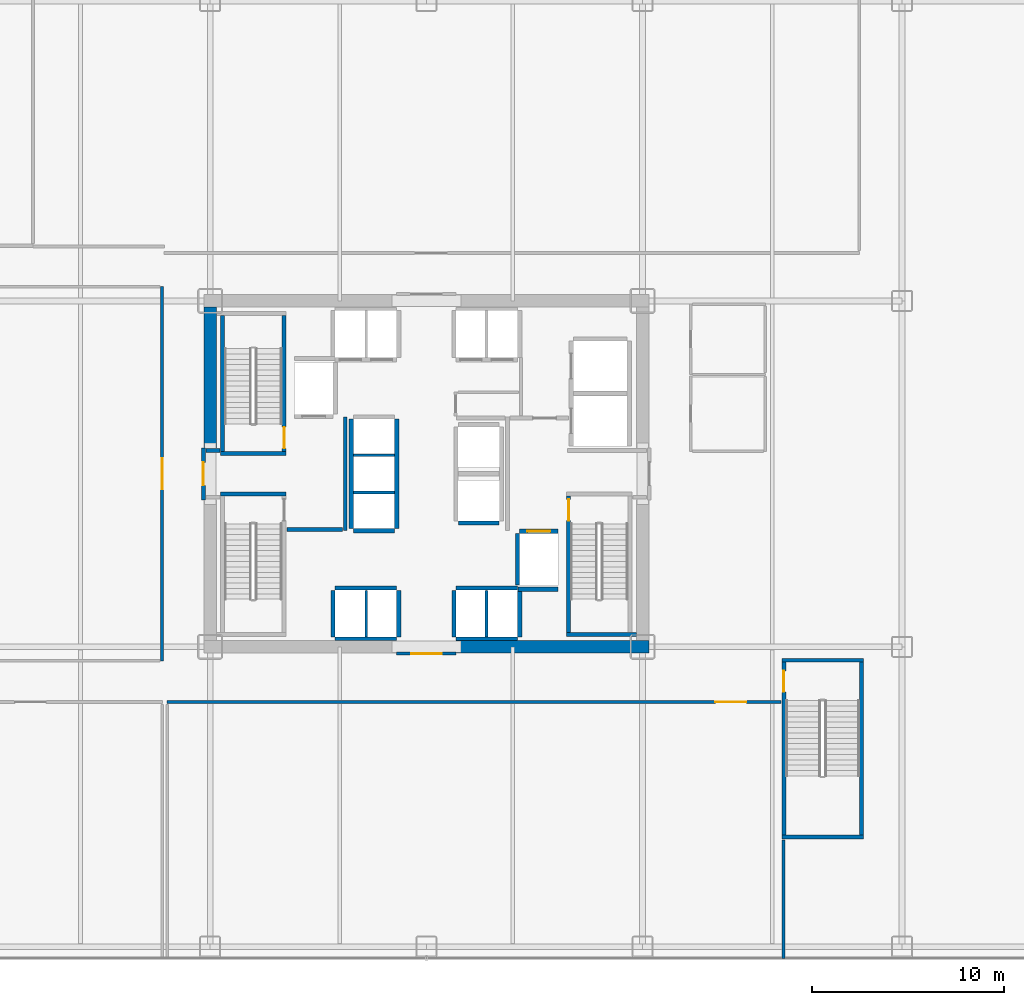
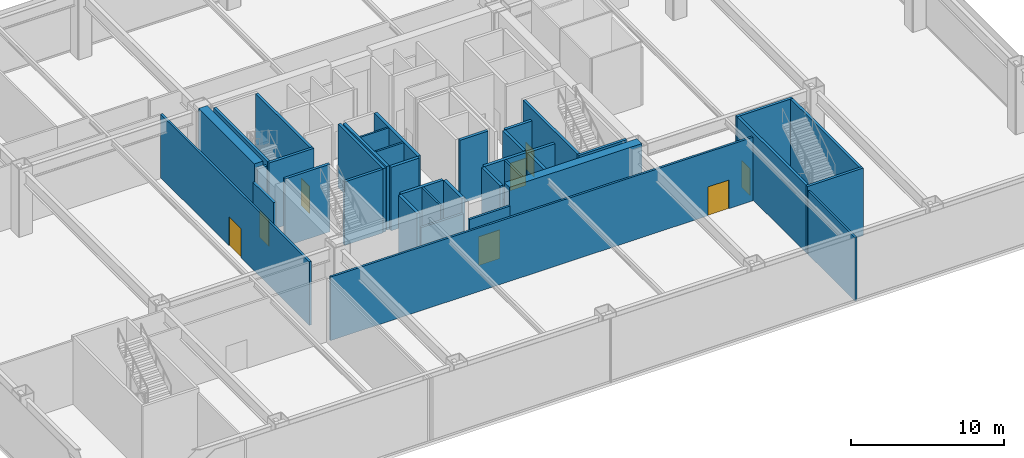
# One storey, part 17 of 24: 39 walls, 8 doors, 8 openings.
"""IFC4 building model written with IfcOpenShell, lengths in metres."""

from ifc_helpers import new_model, si_unit, direction, frame, frame_2d, origin, place, context, subcontext, project, spatial, rectangle, extrude, source, transform, mapped, material, layer, layer_set, type_object, element, fill, save


model = new_model("IFC4")

# Units and contexts
model_context = context("Model", 3, precision=1e-05, world=origin(), true_north=direction((0.0, 1.0)))
body_context = subcontext(model_context, "Body", "Model", "MODEL_VIEW")
ifc_project = project(units=[si_unit("LENGTHUNIT", "METRE"), si_unit("AREAUNIT", "SQUARE_METRE"), si_unit("VOLUMEUNIT", "CUBIC_METRE"), si_unit("PLANEANGLEUNIT", "RADIAN"), si_unit("MASSUNIT", "GRAM", prefix="KILO")], contexts=[model_context])

# Site, building, storey
site_placement = place(None, origin())
site = spatial("IfcSite", under=ifc_project, at=site_placement, CompositionType="ELEMENT")
building_placement = place(site_placement, origin())
building = spatial("IfcBuilding", under=site, at=building_placement, Name="Nefas-Gora Pilgrimage Tower", CompositionType="ELEMENT")
storey_placement = place(building_placement, frame((0.0, 0.0, 11.39990234375)))
storey = spatial("IfcBuildingStorey", under=building, at=storey_placement, Name="L02", CompositionType="ELEMENT", Elevation=11.39990234375)

# Walls
ifc_material_1 = material(Name="Concrete C60/75", Category="concrete")
ifc_layer_1 = layer(ifc_material_1, 0.64990234375)
ifc_layer_set_1 = layer_set([ifc_layer_1], Name="Concrete C60/75")
wall_type_1 = type_object("IfcWallType", Name="SW-CORE-650", PredefinedType="SHEAR", material=ifc_layer_set_1)
shared_shape_1 = source(origin(), body_context, "Body", "SweptSolid", [
    extrude(rectangle(XDim=10.02490234375, YDim=0.64990234375, at=frame_2d((5.012451171875, 0.0))), origin(), (0.0, 0.0, 1.0), 5.400146484375),
])
wall_1_placement = place(storey_placement, frame((1.550048828125, -9.0, 0.0), z_axis=(0.0, 0.0, 1.0), x_axis=(1.0, 0.0, 0.0)))
element("IfcWall", 1, at=wall_1_placement, inside=storey, type_object=wall_type_1, Name="L02 Core Shear Wall S-East", PredefinedType="SHEAR", context=body_context, shape_type="MappedRepresentation", body=[
    mapped(shared_shape_1, transform((0.0, 0.0, 0.0), x_axis=(1.0, 0.0, 0.0), y_axis=(0.0, 1.0, 0.0), z_axis=(0.0, 0.0, 1.0), scale=1.0)),
])
shared_shape_2 = source(origin(), body_context, "Body", "SweptSolid", [
    extrude(rectangle(XDim=7.324951171875, YDim=0.64990234375, at=frame_2d((3.66259765625, 0.0))), origin(), (0.0, 0.0, 1.0), 5.400146484375),
])
wall_2_placement = place(storey_placement, frame((-11.25, 1.35009765625, 0.0), z_axis=(0.0, 0.0, 1.0), x_axis=(0.0, 1.0, 0.0)))
element("IfcWall", 2, at=wall_2_placement, inside=storey, type_object=wall_type_1, Name="L02 Core Shear Wall W-North", PredefinedType="SHEAR", context=body_context, shape_type="MappedRepresentation", body=[
    mapped(shared_shape_2, transform((0.0, 0.0, 0.0), x_axis=(1.0, 0.0, 0.0), y_axis=(0.0, 1.0, 0.0), z_axis=(0.0, 0.0, 1.0), scale=1.0)),
])
ifc_material_2 = material(Name="Concrete C45/55", Category="concrete")
ifc_layer_2 = layer(ifc_material_2, 0.199951171875)
ifc_layer_set_2 = layer_set([ifc_layer_2], Name="Concrete C45/55")
wall_type_2 = type_object("IfcWallType", Name="IW-STAIR-200", PredefinedType="SOLIDWALL", material=ifc_layer_set_2)
shared_shape_3 = source(origin(), body_context, "Body", "SweptSolid", [
    extrude(rectangle(XDim=3.39990234375, YDim=0.199951171875, at=frame_2d((1.699951171875, 0.0))), origin(), (0.0, 0.0, 1.0), 5.400146484375),
])
for number, where, z_axis, x_axis, name in (
    (3, (-7.300048828125, 1.050048828125, 0.0), (0.0, 0.0, 1.0), (-1.0, 0.0, 0.0), "L02 Stairwell Shear Wall ST-01-near"),
    (4, (-10.699951171875, -1.050048828125, 0.0), (0.0, 0.0, 1.0), (1.0, 0.0, 0.0), "L02 Stairwell Shear Wall ST-03-near"),
):
    element("IfcWall", number, at=place(storey_placement, frame(where, z_axis=z_axis, x_axis=x_axis)), inside=storey, type_object=wall_type_2, Name=name, PredefinedType="SOLIDWALL", context=body_context, shape_type="MappedRepresentation", body=[
        mapped(shared_shape_3, transform((0.0, 0.0, 0.0), x_axis=(1.0, 0.0, 0.0), y_axis=(0.0, 1.0, 0.0), z_axis=(0.0, 0.0, 1.0), scale=1.0)),
    ])
shared_shape_4 = source(origin(), body_context, "Body", "SweptSolid", [
    extrude(rectangle(XDim=3.6298828125, YDim=0.199951171875, at=frame_2d((1.81494140625, 0.0))), origin(), (0.0, 0.0, 1.0), 5.400146484375),
])
wall_3_placement = place(storey_placement, frame((7.300048828125, -8.35009765625, 0.0), z_axis=(0.0, 0.0, 1.0), x_axis=(1.0, 0.0, 0.0)))
element("IfcWall", 5, at=wall_3_placement, inside=storey, type_object=wall_type_2, Name="L02 Stairwell Shear Wall ST-02-far", PredefinedType="SOLIDWALL", context=body_context, shape_type="MappedRepresentation", body=[
    mapped(shared_shape_4, transform((0.0, 0.0, 0.0), x_axis=(1.0, 0.0, 0.0), y_axis=(0.0, 1.0, 0.0), z_axis=(0.0, 0.0, 1.0), scale=1.0)),
])

# Wall, opening, door
shared_shape_5 = source(origin(), body_context, "Body", "SweptSolid", [
    extrude(rectangle(XDim=7.10009765625, YDim=0.199951171875, at=frame_2d((3.550048828125, 0.0))), origin(), (0.0, 0.0, 1.0), 5.400146484375),
])
wall_4_placement = place(storey_placement, frame((-7.39990234375, 1.14990234375, 0.0), z_axis=(0.0, 0.0, 1.0), x_axis=(0.0, 1.0, 0.0)))
wall_4 = element("IfcWall", 6, at=wall_4_placement, inside=storey, type_object=wall_type_2, Name="L02 Stairwell Shear Wall ST-01-left", PredefinedType="SOLIDWALL", context=body_context, shape_type="MappedRepresentation", body=[
    mapped(shared_shape_5, transform((0.0, 0.0, 0.0), x_axis=(1.0, 0.0, 0.0), y_axis=(0.0, 1.0, 0.0), z_axis=(0.0, 0.0, 1.0), scale=1.0)),
])
opening_1_placement = place(wall_4_placement, frame((0.179931640625, 0.0, 0.0)))
opening_1 = element("IfcOpeningElement", 7, at=opening_1_placement, cuts=wall_4, Name="Opening ID-ST1", PredefinedType="OPENING", context=body_context, shape_type="SweptSolid", body=[
    extrude(rectangle(XDim=1.10009765625, YDim=2.14990234375, at=frame_2d((0.550048828125, 1.074951171875))), frame((0.0, 0.10986328125, 0.0), z_axis=(0.0, -1.0, 0.0), x_axis=(1.0, 0.0, 0.0)), (0.0, 0.0, 1.0), 0.219970703125),
])
ifc_material_3 = material(Name="Painted galvanised steel fire stair door", Category="steel")
door_type_1 = type_object("IfcDoorType", Name="DR-INT-STAIR-1100", OperationType="NOTDEFINED", PredefinedType="DOOR", material=ifc_material_3)
shared_shape_6 = source(origin(), body_context, "Body", "SweptSolid", [
    extrude(rectangle(XDim=1.10009765625, YDim=2.14990234375, at=frame_2d((0.550048828125, 1.074951171875))), frame((0.0, 0.02490234375, 0.0), z_axis=(0.0, -1.0, 0.0), x_axis=(1.0, 0.0, 0.0)), (0.0, 0.0, 1.0), 0.050048828125),
])
door_1_placement = place(opening_1_placement, origin())
door_1 = element("IfcDoor", 8, at=door_1_placement, inside=storey, type_object=door_type_1, Name="L02 Protected Exit Stair Door ST-01", OperationType="SINGLE_SWING_RIGHT", OverallHeight=2.14990234375, OverallWidth=1.10009765625, PredefinedType="DOOR", context=body_context, shape_type="MappedRepresentation", body=[
    mapped(shared_shape_6, transform((0.0, 0.0, 0.0), x_axis=(1.0, 0.0, 0.0), y_axis=(0.0, 1.0, 0.0), z_axis=(0.0, 0.0, 1.0), scale=1.0)),
])
fill(opening_1, door_1)

# Wall
wall_5_placement = place(storey_placement, frame((-10.60009765625, 1.14990234375, 0.0), z_axis=(0.0, 0.0, 1.0), x_axis=(0.0, 1.0, 0.0)))
element("IfcWall", 9, at=wall_5_placement, inside=storey, type_object=wall_type_2, Name="L02 Stairwell Shear Wall ST-01-right", PredefinedType="SOLIDWALL", context=body_context, shape_type="MappedRepresentation", body=[
    mapped(shared_shape_5, transform((0.0, 0.0, 0.0), x_axis=(1.0, 0.0, 0.0), y_axis=(0.0, 1.0, 0.0), z_axis=(0.0, 0.0, 1.0), scale=1.0)),
])

# Wall, opening, door
wall_6_placement = place(storey_placement, frame((7.39990234375, -1.14990234375, 0.0), z_axis=(0.0, 0.0, 1.0), x_axis=(0.0, -1.0, 0.0)))
wall_6 = element("IfcWall", 10, at=wall_6_placement, inside=storey, type_object=wall_type_2, Name="L02 Stairwell Shear Wall ST-02-left", PredefinedType="SOLIDWALL", context=body_context, shape_type="MappedRepresentation", body=[
    mapped(shared_shape_5, transform((0.0, 0.0, 0.0), x_axis=(1.0, 0.0, 0.0), y_axis=(0.0, 1.0, 0.0), z_axis=(0.0, 0.0, 1.0), scale=1.0)),
])
opening_2_placement = place(wall_6_placement, frame((0.179931640625, 0.0, 0.0)))
opening_2 = element("IfcOpeningElement", 11, at=opening_2_placement, cuts=wall_6, Name="Opening ID-ST1", PredefinedType="OPENING", context=body_context, shape_type="SweptSolid", body=[
    extrude(rectangle(XDim=1.10009765625, YDim=2.14990234375, at=frame_2d((0.550048828125, 1.074951171875))), frame((0.0, 0.10986328125, 0.0), z_axis=(0.0, -1.0, 0.0), x_axis=(1.0, 0.0, 0.0)), (0.0, 0.0, 1.0), 0.219970703125),
])
door_2_placement = place(opening_2_placement, origin())
door_2 = element("IfcDoor", 12, at=door_2_placement, inside=storey, type_object=door_type_1, Name="L02 Protected Exit Stair Door ST-02", OperationType="SINGLE_SWING_LEFT", OverallHeight=2.14990234375, OverallWidth=1.10009765625, PredefinedType="DOOR", context=body_context, shape_type="MappedRepresentation", body=[
    mapped(shared_shape_6, transform((0.0, 0.0, 0.0), x_axis=(1.0, 0.0, 0.0), y_axis=(0.0, 1.0, 0.0), z_axis=(0.0, 0.0, 1.0), scale=1.0)),
])
fill(opening_2, door_2)

# Walls
shared_shape_7 = source(origin(), body_context, "Body", "SweptSolid", [
    extrude(rectangle(XDim=4.239990234375, YDim=0.199951171875, at=frame_2d((2.1201171875, 0.0))), origin(), (0.0, 0.0, 1.0), 5.400146484375),
])
for number, where, z_axis, x_axis, name in (
    (13, (18.5, -9.699951171875, 0.0), (0.0, 0.0, 1.0), (1.0, 0.0, 0.0), "L02 Stairwell Shear Wall ST-06-near"),
    (14, (18.5, -18.89990234375, 0.0), (0.0, 0.0, 1.0), (1.0, 0.0, 0.0), "L02 Stairwell Shear Wall ST-06-far"),
):
    element("IfcWall", number, at=place(storey_placement, frame(where, z_axis=z_axis, x_axis=x_axis)), inside=storey, type_object=wall_type_2, Name=name, PredefinedType="SOLIDWALL", context=body_context, shape_type="MappedRepresentation", body=[
        mapped(shared_shape_7, transform((0.0, 0.0, 0.0), x_axis=(1.0, 0.0, 0.0), y_axis=(0.0, 1.0, 0.0), z_axis=(0.0, 0.0, 1.0), scale=1.0)),
    ])

# Wall, opening, door
shared_shape_8 = source(origin(), body_context, "Body", "SweptSolid", [
    extrude(rectangle(XDim=9.0, YDim=0.199951171875, at=frame_2d((4.5, 0.0))), origin(), (0.0, 0.0, 1.0), 5.400146484375),
])
wall_7_placement = place(storey_placement, frame((18.60009765625, -9.800048828125, 0.0), z_axis=(0.0, 0.0, 1.0), x_axis=(0.0, -1.0, 0.0)))
wall_7 = element("IfcWall", 15, at=wall_7_placement, inside=storey, type_object=wall_type_2, Name="L02 Stairwell Shear Wall ST-06-left", PredefinedType="SOLIDWALL", context=body_context, shape_type="MappedRepresentation", body=[
    mapped(shared_shape_8, transform((0.0, 0.0, 0.0), x_axis=(1.0, 0.0, 0.0), y_axis=(0.0, 1.0, 0.0), z_axis=(0.0, 0.0, 1.0), scale=1.0)),
])
opening_3_placement = place(wall_7_placement, frame((0.449951171875, 0.0, 0.0)))
opening_3 = element("IfcOpeningElement", 16, at=opening_3_placement, cuts=wall_7, Name="Opening ID-ST1", PredefinedType="OPENING", context=body_context, shape_type="SweptSolid", body=[
    extrude(rectangle(XDim=1.10009765625, YDim=2.14990234375, at=frame_2d((0.550048828125, 1.074951171875))), frame((0.0, 0.10986328125, 0.0), z_axis=(0.0, -1.0, 0.0), x_axis=(1.0, 0.0, 0.0)), (0.0, 0.0, 1.0), 0.219970703125),
])
door_3_placement = place(opening_3_placement, origin())
door_3 = element("IfcDoor", 17, at=door_3_placement, inside=storey, type_object=door_type_1, Name="L02 Protected Exit Stair Door ST-06", OperationType="SINGLE_SWING_RIGHT", OverallHeight=2.14990234375, OverallWidth=1.10009765625, PredefinedType="DOOR", context=body_context, shape_type="MappedRepresentation", body=[
    mapped(shared_shape_6, transform((0.0, 0.0, 0.0), x_axis=(1.0, 0.0, 0.0), y_axis=(0.0, 1.0, 0.0), z_axis=(0.0, 0.0, 1.0), scale=1.0)),
])
fill(opening_3, door_3)

# Walls
wall_8_placement = place(storey_placement, frame((22.639892578125, -9.800048828125, 0.0), z_axis=(0.0, 0.0, 1.0), x_axis=(0.0, -1.0, 0.0)))
element("IfcWall", 18, at=wall_8_placement, inside=storey, type_object=wall_type_2, Name="L02 Stairwell Shear Wall ST-06-right", PredefinedType="SOLIDWALL", context=body_context, shape_type="MappedRepresentation", body=[
    mapped(shared_shape_8, transform((0.0, 0.0, 0.0), x_axis=(1.0, 0.0, 0.0), y_axis=(0.0, 1.0, 0.0), z_axis=(0.0, 0.0, 1.0), scale=1.0)),
])
ifc_material_4 = material(Name="Gypsum acoustic stud partition")
ifc_layer_3 = layer(ifc_material_4, 0.159912109375)
ifc_layer_set_3 = layer_set([ifc_layer_3], Name="Gypsum acoustic stud partition")
wall_type_3 = type_object("IfcWallType", Name="IW-CORR-160", PredefinedType="PARTITIONING", material=ifc_layer_set_3)
shared_shape_9 = source(origin(), body_context, "Body", "SweptSolid", [
    extrude(rectangle(XDim=3.199951171875, YDim=0.159912109375, at=frame_2d((1.60009765625, 0.0))), origin(), (0.0, 0.0, 1.0), 3.97509765625),
])
for number, where, z_axis, x_axis, name in (
    (19, (-4.75, -8.580078125, 0.0), (0.0, 0.0, 1.0), (1.0, 0.0, 0.0), "L02 Hoistway Wall PL2-W-S"),
    (20, (1.550048828125, -8.580078125, 0.0), (0.0, 0.0, 1.0), (1.0, 0.0, 0.0), "L02 Hoistway Wall PL2-E-S"),
):
    element("IfcWall", number, at=place(storey_placement, frame(where, z_axis=z_axis, x_axis=x_axis)), inside=storey, type_object=wall_type_3, Name=name, PredefinedType="PARTITIONING", context=body_context, shape_type="MappedRepresentation", body=[
        mapped(shared_shape_9, transform((0.0, 0.0, 0.0), x_axis=(1.0, 0.0, 0.0), y_axis=(0.0, 1.0, 0.0), z_axis=(0.0, 0.0, 1.0), scale=1.0)),
    ])

# Wall, opening, door
ifc_material_5 = material(Name="Concrete C40/50", Category="concrete")
ifc_layer_4 = layer(ifc_material_5, 0.219970703125)
ifc_layer_set_4 = layer_set([ifc_layer_4], Name="Concrete C40/50")
wall_type_4 = type_object("IfcWallType", Name="IW-SHAFT-220", PredefinedType="SOLIDWALL", material=ifc_layer_set_4)
shared_shape_10 = source(origin(), body_context, "Body", "SweptSolid", [
    extrude(rectangle(XDim=2.0, YDim=0.219970703125, at=frame_2d((1.0, 0.0))), origin(), (0.0, 0.0, 1.0), 5.085205078125),
])
wall_9_placement = place(storey_placement, frame((6.85009765625, -2.989990234375, 0.0), z_axis=(0.0, 0.0, 1.0), x_axis=(-1.0, 0.0, 0.0)))
wall_9 = element("IfcWall", 21, at=wall_9_placement, inside=storey, type_object=wall_type_4, Name="L02 Hoistway Wall FFL-02-N", PredefinedType="SOLIDWALL", context=body_context, shape_type="MappedRepresentation", body=[
    mapped(shared_shape_10, transform((0.0, 0.0, 0.0), x_axis=(1.0, 0.0, 0.0), y_axis=(0.0, 1.0, 0.0), z_axis=(0.0, 0.0, 1.0), scale=1.0)),
])
opening_4_placement = place(wall_9_placement, frame((0.39990234375, 0.0, 0.0)))
opening_4 = element("IfcOpeningElement", 22, at=opening_4_placement, cuts=wall_9, Name="Opening LD-FF", PredefinedType="OPENING", context=body_context, shape_type="SweptSolid", body=[
    extrude(rectangle(XDim=1.199951171875, YDim=2.199951171875, at=frame_2d((0.60009765625, 1.10009765625))), frame((0.0, 0.119873046875, 0.0), z_axis=(0.0, -1.0, 0.0), x_axis=(1.0, 0.0, 0.0)), (0.0, 0.0, 1.0), 0.239990234375),
])
ifc_material_6 = material(Name="Fire-service sliding lift landing door")
door_type_2 = type_object("IfcDoorType", Name="DR-LIFT-FSAE-1200", OperationType="SLIDING_TO_LEFT", PredefinedType="DOOR", material=ifc_material_6)
shared_shape_11 = source(origin(), body_context, "Body", "SweptSolid", [
    extrude(rectangle(XDim=1.199951171875, YDim=2.199951171875, at=frame_2d((0.60009765625, 1.10009765625))), frame((0.0, 0.02490234375, 0.0), z_axis=(0.0, -1.0, 0.0), x_axis=(1.0, 0.0, 0.0)), (0.0, 0.0, 1.0), 0.050048828125),
])
door_4_placement = place(opening_4_placement, origin())
door_4 = element("IfcDoor", 23, at=door_4_placement, inside=storey, type_object=door_type_2, Name="L02 Sliding Lift Landing Door FFL-02", OperationType="SLIDING_TO_LEFT", OverallHeight=2.199951171875, OverallWidth=1.199951171875, PredefinedType="DOOR", context=body_context, shape_type="MappedRepresentation", body=[
    mapped(shared_shape_11, transform((0.0, 0.0, 0.0), x_axis=(1.0, 0.0, 0.0), y_axis=(0.0, 1.0, 0.0), z_axis=(0.0, 0.0, 1.0), scale=1.0)),
])
fill(opening_4, door_4)

# Walls
shared_shape_12 = source(origin(), body_context, "Body", "SweptSolid", [
    extrude(rectangle(XDim=2.679931640625, YDim=0.219970703125, at=frame_2d((1.33984375, 0.0))), origin(), (0.0, 0.0, 1.0), 5.085205078125),
])
wall_10_placement = place(storey_placement, frame((4.739990234375, -3.110107421875, 0.0), z_axis=(0.0, 0.0, 1.0), x_axis=(0.0, -1.0, 0.0)))
element("IfcWall", 24, at=wall_10_placement, inside=storey, type_object=wall_type_4, Name="L02 Hoistway Wall FFL-02-W", PredefinedType="SOLIDWALL", context=body_context, shape_type="MappedRepresentation", body=[
    mapped(shared_shape_12, transform((0.0, 0.0, 0.0), x_axis=(1.0, 0.0, 0.0), y_axis=(0.0, 1.0, 0.0), z_axis=(0.0, 0.0, 1.0), scale=1.0)),
])
shared_shape_13 = source(origin(), body_context, "Body", "SweptSolid", [
    extrude(rectangle(XDim=3.199951171875, YDim=0.219970703125, at=frame_2d((1.60009765625, 0.0))), origin(), (0.0, 0.0, 1.0), 5.085205078125),
])
for number, where, z_axis, x_axis, name in (
    (25, (-1.550048828125, -5.93994140625, 0.0), (0.0, 0.0, 1.0), (-1.0, 0.0, 0.0), "L02 Hoistway Wall PL2-W-N"),
    (26, (4.75, -5.93994140625, 0.0), (0.0, 0.0, 1.0), (-1.0, 0.0, 0.0), "L02 Hoistway Wall PL2-E-N"),
):
    element("IfcWall", number, at=place(storey_placement, frame(where, z_axis=z_axis, x_axis=x_axis)), inside=storey, type_object=wall_type_4, Name=name, PredefinedType="SOLIDWALL", context=body_context, shape_type="MappedRepresentation", body=[
        mapped(shared_shape_13, transform((0.0, 0.0, 0.0), x_axis=(1.0, 0.0, 0.0), y_axis=(0.0, 1.0, 0.0), z_axis=(0.0, 0.0, 1.0), scale=1.0)),
    ])
shared_shape_14 = source(origin(), body_context, "Body", "SweptSolid", [
    extrude(rectangle(XDim=2.429931640625, YDim=0.219970703125, at=frame_2d((1.21484375, 0.0))), origin(), (0.0, 0.0, 1.0), 5.085205078125),
])
for number, where, z_axis, x_axis, name in (
    (27, (-4.860107421875, -6.06005859375, 0.0), (0.0, 0.0, 1.0), (0.0, -1.0, 0.0), "L02 Hoistway Wall PL2-W-W"),
    (28, (-1.43994140625, -8.489990234375, 0.0), (0.0, 0.0, 1.0), (0.0, 1.0, 0.0), "L02 Hoistway Wall PL2-W-E"),
    (29, (1.43994140625, -6.06005859375, 0.0), (0.0, 0.0, 1.0), (0.0, -1.0, 0.0), "L02 Hoistway Wall PL2-E-W"),
    (30, (4.860107421875, -8.489990234375, 0.0), (0.0, 0.0, 1.0), (0.0, 1.0, 0.0), "L02 Hoistway Wall PL2-E-E"),
):
    element("IfcWall", number, at=place(storey_placement, frame(where, z_axis=z_axis, x_axis=x_axis)), inside=storey, type_object=wall_type_4, Name=name, PredefinedType="SOLIDWALL", context=body_context, shape_type="MappedRepresentation", body=[
        mapped(shared_shape_14, transform((0.0, 0.0, 0.0), x_axis=(1.0, 0.0, 0.0), y_axis=(0.0, 1.0, 0.0), z_axis=(0.0, 0.0, 1.0), scale=1.0)),
    ])
ifc_material_7 = material(Name="Gypsum twin-stud partition")
ifc_layer_5 = layer(ifc_material_7, 0.139892578125)
ifc_layer_set_5 = layer_set([ifc_layer_5], Name="Gypsum twin-stud partition")
wall_type_5 = type_object("IfcWallType", Name="IW-UNIT-140", PredefinedType="PARTITIONING", material=ifc_layer_set_5)
shared_shape_15 = source(origin(), body_context, "Body", "SweptSolid", [
    extrude(rectangle(XDim=2.429931640625, YDim=0.139892578125, at=frame_2d((1.21484375, 0.0))), origin(), (0.0, 0.0, 1.0), 5.085205078125),
])
for number, where, z_axis, x_axis, name in (
    (31, (-3.125, -8.489990234375, 0.0), (0.0, 0.0, 1.0), (0.0, 1.0, 0.0), "L02 Hoistway Wall PL2-W-DIV"),
    (32, (3.125, -8.489990234375, 0.0), (0.0, 0.0, 1.0), (0.0, 1.0, 0.0), "L02 Hoistway Wall PL2-E-DIV"),
):
    element("IfcWall", number, at=place(storey_placement, frame(where, z_axis=z_axis, x_axis=x_axis)), inside=storey, type_object=wall_type_5, Name=name, PredefinedType="PARTITIONING", context=body_context, shape_type="MappedRepresentation", body=[
        mapped(shared_shape_15, transform((0.0, 0.0, 0.0), x_axis=(1.0, 0.0, 0.0), y_axis=(0.0, 1.0, 0.0), z_axis=(0.0, 0.0, 1.0), scale=1.0)),
    ])
shared_shape_16 = source(origin(), body_context, "Body", "SweptSolid", [
    extrude(rectangle(XDim=5.7001953125, YDim=0.219970703125, at=frame_2d((2.85009765625, 0.0))), origin(), (0.0, 0.0, 1.0), 5.085205078125),
])
for number, where, z_axis, x_axis, name in (
    (33, (-1.5400390625, -2.85009765625, 0.0), (0.0, 0.0, 1.0), (0.0, 1.0, 0.0), "L02 Hoistway Wall PL3-01-03-E"),
    (34, (-3.909912109375, 2.85009765625, 0.0), (0.0, 0.0, 1.0), (0.0, -1.0, 0.0), "L02 Hoistway Wall PL3-01-03-W"),
):
    element("IfcWall", number, at=place(storey_placement, frame(where, z_axis=z_axis, x_axis=x_axis)), inside=storey, type_object=wall_type_4, Name=name, PredefinedType="SOLIDWALL", context=body_context, shape_type="MappedRepresentation", body=[
        mapped(shared_shape_16, transform((0.0, 0.0, 0.0), x_axis=(1.0, 0.0, 0.0), y_axis=(0.0, 1.0, 0.0), z_axis=(0.0, 0.0, 1.0), scale=1.0)),
    ])
shared_shape_17 = source(origin(), body_context, "Body", "SweptSolid", [
    extrude(rectangle(XDim=2.130126953125, YDim=0.219970703125, at=frame_2d((1.06494140625, 0.0))), origin(), (0.0, 0.0, 1.0), 5.085205078125),
])
for number, where, z_axis, x_axis, name in (
    (35, (-3.7900390625, -2.9599609375, 0.0), (0.0, 0.0, 1.0), (1.0, 0.0, 0.0), "L02 Hoistway Wall PL3-01-S"),
    (36, (1.659912109375, -2.56005859375, 0.0), (0.0, 0.0, 1.0), (1.0, 0.0, 0.0), "L02 Hoistway Wall OBS-01-S"),
):
    element("IfcWall", number, at=place(storey_placement, frame(where, z_axis=z_axis, x_axis=x_axis)), inside=storey, type_object=wall_type_4, Name=name, PredefinedType="SOLIDWALL", context=body_context, shape_type="MappedRepresentation", body=[
        mapped(shared_shape_17, transform((0.0, 0.0, 0.0), x_axis=(1.0, 0.0, 0.0), y_axis=(0.0, 1.0, 0.0), z_axis=(0.0, 0.0, 1.0), scale=1.0)),
    ])
shared_shape_18 = source(origin(), body_context, "Body", "SweptSolid", [
    extrude(rectangle(XDim=2.130126953125, YDim=0.139892578125, at=frame_2d((1.06494140625, 0.0))), origin(), (0.0, 0.0, 1.0), 5.085205078125),
])
for number, where, z_axis, x_axis, name in (
    (37, (-3.7900390625, -0.97509765625, 0.0), (0.0, 0.0, 1.0), (1.0, 0.0, 0.0), "L02 Hoistway Wall PL3-01-02-DIV"),
    (38, (-3.7900390625, 0.97509765625, 0.0), (0.0, 0.0, 1.0), (1.0, 0.0, 0.0), "L02 Hoistway Wall PL3-02-03-DIV"),
):
    element("IfcWall", number, at=place(storey_placement, frame(where, z_axis=z_axis, x_axis=x_axis)), inside=storey, type_object=wall_type_5, Name=name, PredefinedType="PARTITIONING", context=body_context, shape_type="MappedRepresentation", body=[
        mapped(shared_shape_18, transform((0.0, 0.0, 0.0), x_axis=(1.0, 0.0, 0.0), y_axis=(0.0, 1.0, 0.0), z_axis=(0.0, 0.0, 1.0), scale=1.0)),
    ])

# Wall, opening, door
ifc_material_8 = material(Name="Gypsum fire-rated shaftwall")
ifc_layer_6 = layer(ifc_material_8, 0.199951171875)
ifc_layer_set_6 = layer_set([ifc_layer_6], Name="Gypsum fire-rated shaftwall")
wall_type_6 = type_object("IfcWallType", Name="IW-FFLOB-200", PredefinedType="PARTITIONING", material=ifc_layer_set_6)
shared_shape_19 = source(origin(), body_context, "Body", "SweptSolid", [
    extrude(rectangle(XDim=2.7001953125, YDim=0.199951171875, at=frame_2d((1.35009765625, 0.0))), origin(), (0.0, 0.0, 1.0), 3.97509765625),
])
wall_11_placement = place(storey_placement, frame((-11.60009765625, -1.35009765625, 0.0), z_axis=(0.0, 0.0, 1.0), x_axis=(0.0, 1.0, 0.0)))
wall_11 = element("IfcWall", 39, at=wall_11_placement, inside=storey, type_object=wall_type_6, Name="L02 FF Lobby West Portal Wall 3", PredefinedType="PARTITIONING", context=body_context, shape_type="MappedRepresentation", body=[
    mapped(shared_shape_19, transform((0.0, 0.0, 0.0), x_axis=(1.0, 0.0, 0.0), y_axis=(0.0, 1.0, 0.0), z_axis=(0.0, 0.0, 1.0), scale=1.0)),
])
opening_5_placement = place(wall_11_placement, frame((0.75, 0.0, 0.0)))
opening_5 = element("IfcOpeningElement", 40, at=opening_5_placement, cuts=wall_11, Name="Opening ID-FF1", PredefinedType="OPENING", context=body_context, shape_type="SweptSolid", body=[
    extrude(rectangle(XDim=1.199951171875, YDim=2.14990234375, at=frame_2d((0.60009765625, 1.074951171875))), frame((0.0, 0.10986328125, 0.0), z_axis=(0.0, -1.0, 0.0), x_axis=(1.0, 0.0, 0.0)), (0.0, 0.0, 1.0), 0.219970703125),
])
ifc_material_9 = material(Name="Smoke-sealed steel firefighting lobby door", Category="steel")
door_type_3 = type_object("IfcDoorType", Name="DR-INT-FFLOB-1200", OperationType="NOTDEFINED", PredefinedType="DOOR", material=ifc_material_9)
shared_shape_20 = source(origin(), body_context, "Body", "SweptSolid", [
    extrude(rectangle(XDim=1.199951171875, YDim=2.14990234375, at=frame_2d((0.60009765625, 1.074951171875))), frame((0.0, 0.02490234375, 0.0), z_axis=(0.0, -1.0, 0.0), x_axis=(1.0, 0.0, 0.0)), (0.0, 0.0, 1.0), 0.050048828125),
])
door_5_placement = place(opening_5_placement, origin())
door_5 = element("IfcDoor", 41, at=door_5_placement, inside=storey, type_object=door_type_3, Name="L02 FF Lobby West Portal Door 1", OperationType="SINGLE_SWING_LEFT", OverallHeight=2.14990234375, OverallWidth=1.199951171875, PredefinedType="DOOR", context=body_context, shape_type="MappedRepresentation", body=[
    mapped(shared_shape_20, transform((0.0, 0.0, 0.0), x_axis=(1.0, 0.0, 0.0), y_axis=(0.0, 1.0, 0.0), z_axis=(0.0, 0.0, 1.0), scale=1.0)),
])
fill(opening_5, door_5)

shared_shape_21 = source(origin(), body_context, "Body", "SweptSolid", [
    extrude(rectangle(XDim=3.08984375, YDim=0.159912109375, at=frame_2d((1.544921875, 0.0))), origin(), (0.0, 0.0, 1.0), 3.97509765625),
])
wall_12_placement = place(storey_placement, frame((-1.544921875, -9.35009765625, 0.0), z_axis=(0.0, 0.0, 1.0), x_axis=(1.0, 0.0, 0.0)))
wall_12 = element("IfcWall", 42, at=wall_12_placement, inside=storey, type_object=wall_type_3, Name="L02 Central Lift Lobby South Portal Wall 15", PredefinedType="PARTITIONING", context=body_context, shape_type="MappedRepresentation", body=[
    mapped(shared_shape_21, transform((0.0, 0.0, 0.0), x_axis=(1.0, 0.0, 0.0), y_axis=(0.0, 1.0, 0.0), z_axis=(0.0, 0.0, 1.0), scale=1.0)),
])
opening_6_placement = place(wall_12_placement, frame((0.7451171875, 0.0, 0.0)))
opening_6 = element("IfcOpeningElement", 43, at=opening_6_placement, cuts=wall_12, Name="Opening ID-HL1", PredefinedType="OPENING", context=body_context, shape_type="SweptSolid", body=[
    extrude(rectangle(XDim=1.60009765625, YDim=2.300048828125, at=frame_2d((0.800048828125, 1.14990234375))), frame((0.0, 0.08984375, 0.0), z_axis=(0.0, -1.0, 0.0), x_axis=(1.0, 0.0, 0.0)), (0.0, 0.0, 1.0), 0.179931640625),
])
ifc_material_10 = material(Name="Double acoustic timber assembly hall door", Category="wood")
door_type_4 = type_object("IfcDoorType", Name="DR-INT-HALL-1600", OperationType="DOUBLE_DOOR_SINGLE_SWING", PredefinedType="DOOR", material=ifc_material_10)
shared_shape_22 = source(origin(), body_context, "Body", "SweptSolid", [
    extrude(rectangle(XDim=1.60009765625, YDim=2.300048828125, at=frame_2d((0.800048828125, 1.14990234375))), frame((0.0, 0.02490234375, 0.0), z_axis=(0.0, -1.0, 0.0), x_axis=(1.0, 0.0, 0.0)), (0.0, 0.0, 1.0), 0.050048828125),
])
door_6_placement = place(opening_6_placement, origin())
door_6 = element("IfcDoor", 44, at=door_6_placement, inside=storey, type_object=door_type_4, Name="L02 Central Lift Lobby South Portal Door 5", OperationType="DOUBLE_DOOR_SINGLE_SWING", OverallHeight=2.300048828125, OverallWidth=1.60009765625, PredefinedType="DOOR", context=body_context, shape_type="MappedRepresentation", body=[
    mapped(shared_shape_22, transform((0.0, 0.0, 0.0), x_axis=(1.0, 0.0, 0.0), y_axis=(0.0, 1.0, 0.0), z_axis=(0.0, 0.0, 1.0), scale=1.0)),
])
fill(opening_6, door_6)

# Walls
shared_shape_23 = source(origin(), body_context, "Body", "SweptSolid", [
    extrude(rectangle(XDim=2.09521484375, YDim=0.219970703125, at=frame_2d((1.047607421875, 0.0))), origin(), (0.0, 0.0, 1.0), 5.085205078125),
])
wall_13_placement = place(storey_placement, frame((4.7548828125, -6.0, 0.0), z_axis=(0.0, 0.0, 1.0), x_axis=(1.0, 0.0, 0.0)))
element("IfcWall", 45, at=wall_13_placement, inside=storey, type_object=wall_type_4, Name="L02 Riser Shaft Wall 2", PredefinedType="SOLIDWALL", context=body_context, shape_type="MappedRepresentation", body=[
    mapped(shared_shape_23, transform((0.0, 0.0, 0.0), x_axis=(1.0, 0.0, 0.0), y_axis=(0.0, 1.0, 0.0), z_axis=(0.0, 0.0, 1.0), scale=1.0)),
])
shared_shape_24 = source(origin(), body_context, "Body", "SweptSolid", [
    extrude(rectangle(XDim=5.89990234375, YDim=0.199951171875, at=frame_2d((2.949951171875, 0.0))), origin(), (0.0, 0.0, 1.0), 5.085205078125),
])
wall_14_placement = place(storey_placement, frame((-4.219970703125, -2.949951171875, 0.0), z_axis=(0.0, 0.0, 1.0), x_axis=(0.0, 1.0, 0.0)))
element("IfcWall", 46, at=wall_14_placement, inside=storey, type_object=wall_type_6, Name="L02 FF Lobby West Inner Wall Wall 4", PredefinedType="PARTITIONING", context=body_context, shape_type="MappedRepresentation", body=[
    mapped(shared_shape_24, transform((0.0, 0.0, 0.0), x_axis=(1.0, 0.0, 0.0), y_axis=(0.0, 1.0, 0.0), z_axis=(0.0, 0.0, 1.0), scale=1.0)),
])
shared_shape_25 = source(origin(), body_context, "Body", "SweptSolid", [
    extrude(rectangle(XDim=2.89990234375, YDim=0.199951171875, at=frame_2d((1.449951171875, 0.0))), origin(), (0.0, 0.0, 1.0), 5.085205078125),
])
wall_15_placement = place(storey_placement, frame((-7.260009765625, -2.89990234375, 0.0), z_axis=(0.0, 0.0, 1.0), x_axis=(1.0, 0.0, 0.0)))
element("IfcWall", 47, at=wall_15_placement, inside=storey, type_object=wall_type_6, Name="L02 FF Lobby West South Wall Wall 5", PredefinedType="PARTITIONING", context=body_context, shape_type="MappedRepresentation", body=[
    mapped(shared_shape_25, transform((0.0, 0.0, 0.0), x_axis=(1.0, 0.0, 0.0), y_axis=(0.0, 1.0, 0.0), z_axis=(0.0, 0.0, 1.0), scale=1.0)),
])
shared_shape_26 = source(origin(), body_context, "Body", "SweptSolid", [
    extrude(rectangle(XDim=0.719970703125, YDim=0.199951171875, at=frame_2d((0.35986328125, 0.0))), origin(), (0.0, 0.0, 1.0), 5.085205078125),
])
wall_16_placement = place(storey_placement, frame((-11.4599609375, 1.219970703125, 0.0), z_axis=(0.0, 0.0, 1.0), x_axis=(1.0, 0.0, 0.0)))
element("IfcWall", 48, at=wall_16_placement, inside=storey, type_object=wall_type_6, Name="L02 FF Lobby West Throat N Wall 6", PredefinedType="PARTITIONING", context=body_context, shape_type="MappedRepresentation", body=[
    mapped(shared_shape_26, transform((0.0, 0.0, 0.0), x_axis=(1.0, 0.0, 0.0), y_axis=(0.0, 1.0, 0.0), z_axis=(0.0, 0.0, 1.0), scale=1.0)),
])

# Wall, opening, door
shared_shape_27 = source(origin(), body_context, "Body", "SweptSolid", [
    extrude(rectangle(XDim=19.47998046875, YDim=0.159912109375, at=frame_2d((9.739990234375, 0.0))), origin(), (0.0, 0.0, 1.0), 5.085205078125),
])
wall_17_placement = place(storey_placement, frame((-13.75, -9.739990234375, 0.0), z_axis=(0.0, 0.0, 1.0), x_axis=(0.0, 1.0, 0.0)))
wall_17 = element("IfcWall", 49, at=wall_17_placement, inside=storey, type_object=wall_type_3, Name="L02 Congregational Prayer Hall West Partition Wall 26", PredefinedType="PARTITIONING", context=body_context, shape_type="MappedRepresentation", body=[
    mapped(shared_shape_27, transform((0.0, 0.0, 0.0), x_axis=(1.0, 0.0, 0.0), y_axis=(0.0, 1.0, 0.0), z_axis=(0.0, 0.0, 1.0), scale=1.0)),
])
opening_7_placement = place(wall_17_placement, frame((8.93994140625, 0.0, 0.0)))
opening_7 = element("IfcOpeningElement", 50, at=opening_7_placement, cuts=wall_17, Name="Opening ID-HL1", PredefinedType="OPENING", context=body_context, shape_type="SweptSolid", body=[
    extrude(rectangle(XDim=1.60009765625, YDim=2.300048828125, at=frame_2d((0.800048828125, 1.14990234375))), frame((0.0, 0.08984375, 0.0), z_axis=(0.0, -1.0, 0.0), x_axis=(1.0, 0.0, 0.0)), (0.0, 0.0, 1.0), 0.179931640625),
])
door_7_placement = place(opening_7_placement, origin())
door_7 = element("IfcDoor", 51, at=door_7_placement, inside=storey, type_object=door_type_4, Name="L02 Congregational Prayer Hall West Door 9", OperationType="DOUBLE_DOOR_SINGLE_SWING", OverallHeight=2.300048828125, OverallWidth=1.60009765625, PredefinedType="DOOR", context=body_context, shape_type="MappedRepresentation", body=[
    mapped(shared_shape_22, transform((0.0, 0.0, 0.0), x_axis=(1.0, 0.0, 0.0), y_axis=(0.0, 1.0, 0.0), z_axis=(0.0, 0.0, 1.0), scale=1.0)),
])
fill(opening_7, door_7)

# Wall
shared_shape_28 = source(origin(), body_context, "Body", "SweptSolid", [
    extrude(rectangle(XDim=6.179931640625, YDim=0.139892578125, at=frame_2d((3.08984375, 0.0))), origin(), (0.0, 0.0, 1.0), 5.085205078125),
])
wall_18_placement = place(storey_placement, frame((18.580078125, -25.219970703125, 0.0), z_axis=(0.0, 0.0, 1.0), x_axis=(0.0, 1.0, 0.0)))
element("IfcWall", 52, at=wall_18_placement, inside=storey, type_object=wall_type_5, Name="L02 Pilgrim Orientation Hall Partition Wall 41", PredefinedType="PARTITIONING", context=body_context, shape_type="MappedRepresentation", body=[
    mapped(shared_shape_28, transform((0.0, 0.0, 0.0), x_axis=(1.0, 0.0, 0.0), y_axis=(0.0, 1.0, 0.0), z_axis=(0.0, 0.0, 1.0), scale=1.0)),
])

# Wall, opening, door
shared_shape_29 = source(origin(), body_context, "Body", "SweptSolid", [
    extrude(rectangle(XDim=31.949951171875, YDim=0.159912109375, at=frame_2d((15.97509765625, 0.0))), origin(), (0.0, 0.0, 1.0), 5.085205078125),
])
wall_19_placement = place(storey_placement, frame((-13.489990234375, -11.8701171875, 0.0), z_axis=(0.0, 0.0, 1.0), x_axis=(1.0, 0.0, 0.0)))
wall_19 = element("IfcWall", 53, at=wall_19_placement, inside=storey, type_object=wall_type_3, Name="L02 Pilgrim Orientation Hall Partition Wall 40", PredefinedType="PARTITIONING", context=body_context, shape_type="MappedRepresentation", body=[
    mapped(shared_shape_29, transform((0.0, 0.0, 0.0), x_axis=(1.0, 0.0, 0.0), y_axis=(0.0, 1.0, 0.0), z_axis=(0.0, 0.0, 1.0), scale=1.0)),
])
opening_8_placement = place(wall_19_placement, frame((28.533203125, 0.0, 0.0)))
opening_8 = element("IfcOpeningElement", 54, at=opening_8_placement, cuts=wall_19, Name="Opening ID-HL1", PredefinedType="OPENING", context=body_context, shape_type="SweptSolid", body=[
    extrude(rectangle(XDim=1.60009765625, YDim=2.300048828125, at=frame_2d((0.800048828125, 1.14990234375))), frame((0.0, 0.08984375, 0.0), z_axis=(0.0, -1.0, 0.0), x_axis=(1.0, 0.0, 0.0)), (0.0, 0.0, 1.0), 0.179931640625),
])
door_8_placement = place(opening_8_placement, origin())
door_8 = element("IfcDoor", 55, at=door_8_placement, inside=storey, type_object=door_type_4, Name="L02 Pilgrim Orientation Hall Door 13", OperationType="DOUBLE_DOOR_SINGLE_SWING", OverallHeight=2.300048828125, OverallWidth=1.60009765625, PredefinedType="DOOR", context=body_context, shape_type="MappedRepresentation", body=[
    mapped(shared_shape_22, transform((0.0, 0.0, 0.0), x_axis=(1.0, 0.0, 0.0), y_axis=(0.0, 1.0, 0.0), z_axis=(0.0, 0.0, 1.0), scale=1.0)),
])
fill(opening_8, door_8)

save(model, "model.ifc")
